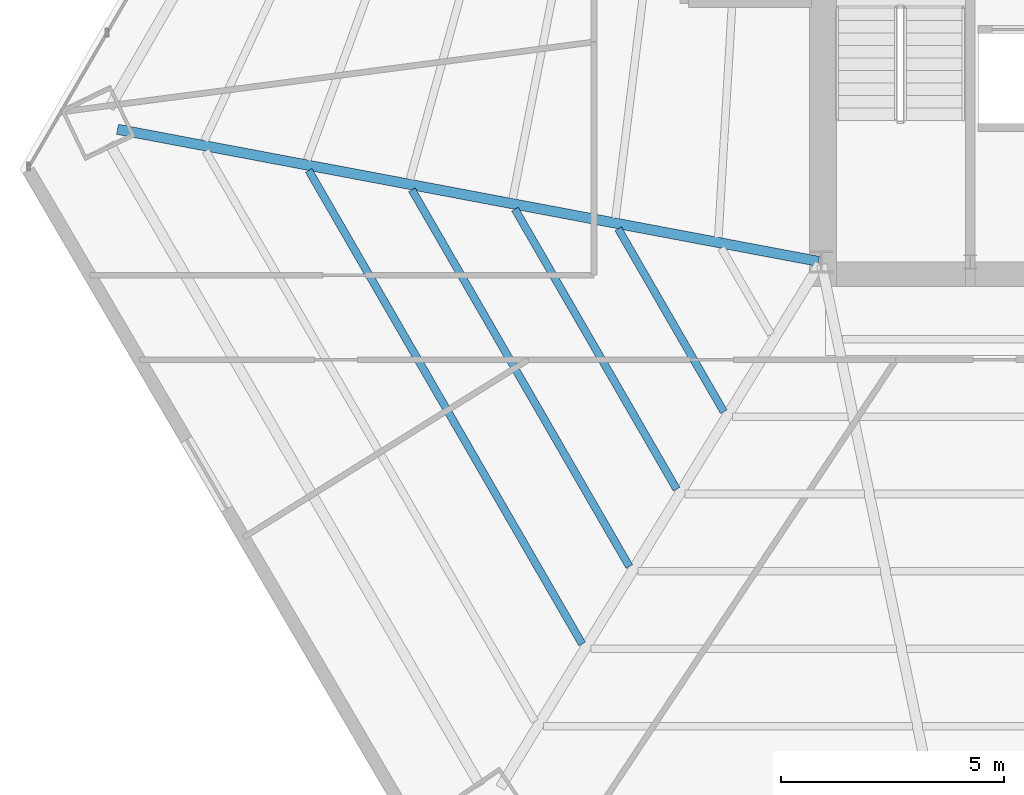
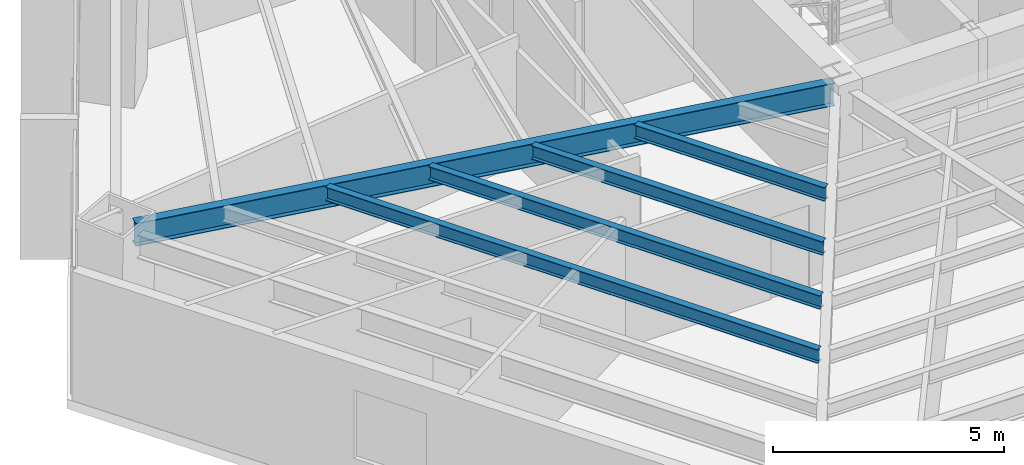
# One storey, part 6 of 37: 5 beams.
"""IFC4 building model written with IfcOpenShell, lengths in metres."""

from ifc_helpers import new_model, si_unit, direction, frame, origin, origin_2d, place, context, subcontext, project, spatial, i_section, extrude, source, transform, mapped, material, material_profile, profile_set, type_object, type_shapes, element, save


model = new_model("IFC4")

# Units and contexts
model_context = context("Model", 3, precision=1e-05, world=origin(), true_north=direction((0.0, 1.0)))
body_context = subcontext(model_context, "Body", "Model", "MODEL_VIEW")
ifc_project = project(units=[si_unit("LENGTHUNIT", "METRE"), si_unit("AREAUNIT", "SQUARE_METRE"), si_unit("VOLUMEUNIT", "CUBIC_METRE"), si_unit("PLANEANGLEUNIT", "RADIAN"), si_unit("MASSUNIT", "GRAM", prefix="KILO")], contexts=[model_context])

# Site, building, storey
site_placement = place(None, origin())
site = spatial("IfcSite", under=ifc_project, at=site_placement, CompositionType="ELEMENT")
building_placement = place(site_placement, origin())
building = spatial("IfcBuilding", under=site, at=building_placement, Name="Caelisora Broadcast Tower", CompositionType="ELEMENT")
storey_placement = place(building_placement, frame((0.0, 0.0, 45.85009765625)))
storey = spatial("IfcBuildingStorey", under=building, at=storey_placement, Name="L11", CompositionType="ELEMENT", Elevation=45.85009765625)

# Beams
ifc_material = material(Name="Steel Grade 350 (AS/NZS 3679.1)", Category="steel")
ifc_material_profile_1 = material_profile(ifc_material, i_section(OverallWidth=0.22802734375, OverallDepth=0.602294921875, WebThickness=0.010498046875, FlangeThickness=0.014892578125, at=origin_2d()), Name="Steel Grade 350 (AS/NZS 3679.1)")
ifc_profile_set_1 = profile_set([ifc_material_profile_1], Name="Steel Grade 350 (AS/NZS 3679.1)")
beam_type_1 = type_object("IfcBeamType", Name="PG04", PredefinedType="BEAM", material=ifc_profile_set_1)
shared_shape_1 = source(origin(), body_context, "Body", "SweptSolid", [
    extrude(i_section(OverallWidth=0.22802734375, OverallDepth=0.602294921875, WebThickness=0.010498046875, FlangeThickness=0.014892578125, at=origin_2d()), origin(), (0.0, 0.0, 1.0), 16.02099609375),
])
type_shapes(beam_type_1, [shared_shape_1])
beam_1_placement = place(storey_placement, frame((30.44091796875, 17.4111328125, 3.098876953125), z_axis=(-0.98270426915, 0.185181854928, 0.0), x_axis=(-0.185181854928, -0.98270426915, 0.0)))
element("IfcBeam", 1, at=beam_1_placement, inside=storey, type_object=beam_type_1, Name="L11 beam PG04", PredefinedType="BEAM", context=body_context, shape_type="MappedRepresentation", body=[
    mapped(shared_shape_1, transform((0.0, 0.0, 0.0), scale=1.0)),
])
ifc_material_profile_2 = material_profile(ifc_material, i_section(OverallWidth=0.172119140625, OverallDepth=0.358642578125, WebThickness=0.008056640625, FlangeThickness=0.012939453125, at=origin_2d()), Name="Steel Grade 350 (AS/NZS 3679.1)")
ifc_profile_set_2 = profile_set([ifc_material_profile_2], Name="Steel Grade 350 (AS/NZS 3679.1)")
beam_type_2 = type_object("IfcBeamType", Name="SB02", PredefinedType="JOIST", material=ifc_profile_set_2)
shared_shape_2 = source(origin(), body_context, "Body", "SweptSolid", [
    extrude(i_section(OverallWidth=0.172119140625, OverallDepth=0.358642578125, WebThickness=0.008056640625, FlangeThickness=0.012939453125, at=origin_2d()), origin(), (0.0, 0.0, 1.0), 4.747802734375),
])
beam_2_placement = place(storey_placement, frame((25.940673828125, 18.1455078125, 3.220703125), z_axis=(0.499971721724, -0.866041729639, 0.0), x_axis=(0.866041729639, 0.499971721724, 0.0)))
element("IfcBeam", 2, at=beam_2_placement, inside=storey, type_object=beam_type_2, Name="L11 beam SB02", PredefinedType="JOIST", context=body_context, shape_type="MappedRepresentation", body=[
    mapped(shared_shape_2, transform((0.0, 0.0, 0.0), scale=1.0)),
])
shared_shape_3 = source(origin(), body_context, "Body", "SweptSolid", [
    extrude(i_section(OverallWidth=0.172119140625, OverallDepth=0.358642578125, WebThickness=0.008056640625, FlangeThickness=0.012939453125, at=origin_2d()), origin(), (0.0, 0.0, 1.0), 7.2587890625),
])
beam_3_placement = place(storey_placement, frame((23.6240234375, 18.58203125, 3.220703125), z_axis=(0.49999515472, -0.86602820119, 0.0), x_axis=(0.86602820119, 0.49999515472, 0.0)))
element("IfcBeam", 3, at=beam_3_placement, inside=storey, type_object=beam_type_2, Name="L11 beam SB02", PredefinedType="JOIST", context=body_context, shape_type="MappedRepresentation", body=[
    mapped(shared_shape_3, transform((0.0, 0.0, 0.0), scale=1.0)),
])
shared_shape_4 = source(origin(), body_context, "Body", "SweptSolid", [
    extrude(i_section(OverallWidth=0.172119140625, OverallDepth=0.358642578125, WebThickness=0.008056640625, FlangeThickness=0.012939453125, at=origin_2d()), origin(), (0.0, 0.0, 1.0), 9.769775390625),
])
beam_4_placement = place(storey_placement, frame((21.3076171875, 19.0185546875, 3.220703125), z_axis=(0.499987800209, -0.866032447223, 0.0), x_axis=(0.866032447223, 0.499987800209, 0.0)))
element("IfcBeam", 4, at=beam_4_placement, inside=storey, type_object=beam_type_2, Name="L11 beam SB02", PredefinedType="JOIST", context=body_context, shape_type="MappedRepresentation", body=[
    mapped(shared_shape_4, transform((0.0, 0.0, 0.0), scale=1.0)),
])
shared_shape_5 = source(origin(), body_context, "Body", "SweptSolid", [
    extrude(i_section(OverallWidth=0.172119140625, OverallDepth=0.358642578125, WebThickness=0.008056640625, FlangeThickness=0.012939453125, at=origin_2d()), origin(), (0.0, 0.0, 1.0), 12.28076171875),
])
type_shapes(beam_type_2, [shared_shape_2, shared_shape_3, shared_shape_4, shared_shape_5])
beam_5_placement = place(storey_placement, frame((18.990966796875, 19.455078125, 3.220703125), z_axis=(0.49999836324, -0.866026348766, 0.0), x_axis=(0.866026348766, 0.49999836324, 0.0)))
element("IfcBeam", 5, at=beam_5_placement, inside=storey, type_object=beam_type_2, Name="L11 beam SB02", PredefinedType="JOIST", context=body_context, shape_type="MappedRepresentation", body=[
    mapped(shared_shape_5, transform((0.0, 0.0, 0.0), scale=1.0)),
])

save(model, "model.ifc")
